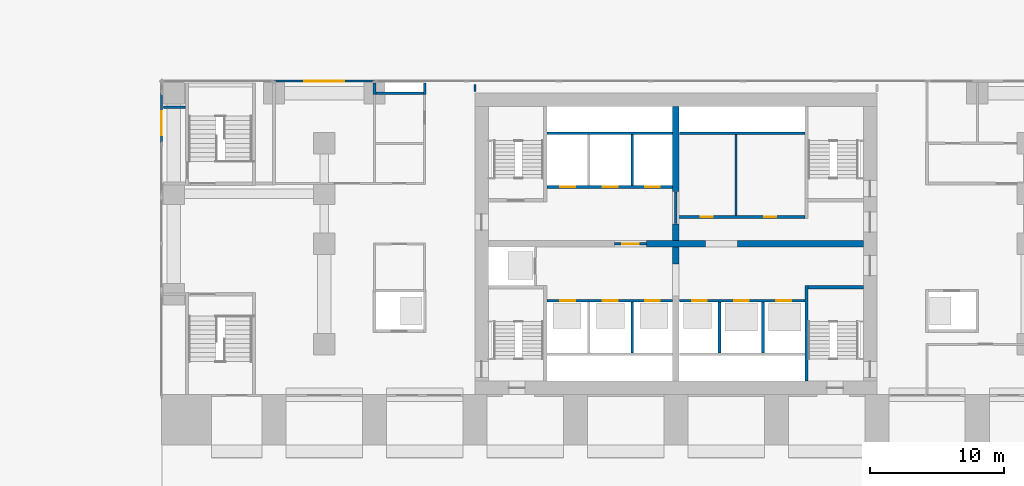
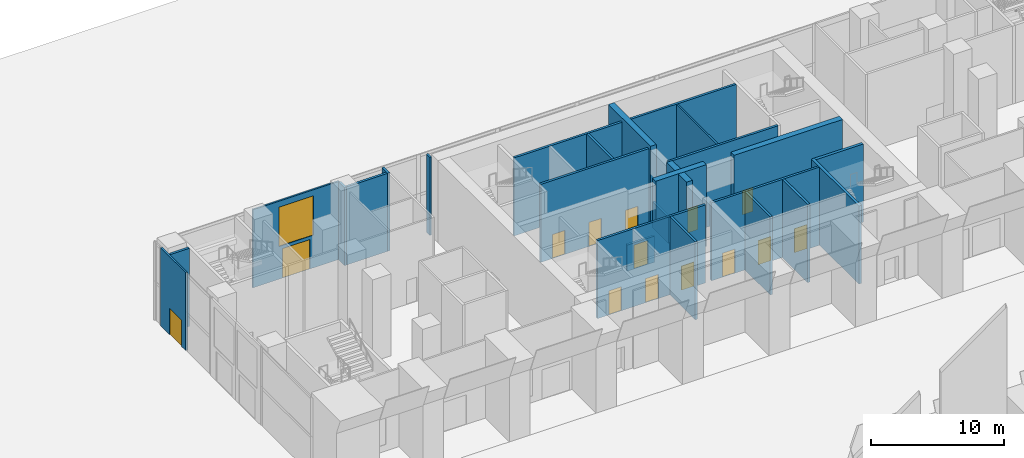
# One storey, part 13 of 21: 27 walls, 14 doors, 1 window, 15 openings.
"""IFC4 building model written with IfcOpenShell, lengths in metres."""

from ifc_helpers import new_model, si_unit, direction, frame, frame_2d, origin, place, context, subcontext, project, spatial, rectangle, extrude, material, layer, layer_set, type_object, element, fill, save


model = new_model("IFC4")

# Units and contexts
model_context = context("Model", 3, precision=1e-05, world=origin(), true_north=direction((0.0, 1.0)))
body_context = subcontext(model_context, "Body", "Model", "MODEL_VIEW")
ifc_project = project(units=[si_unit("LENGTHUNIT", "METRE"), si_unit("AREAUNIT", "SQUARE_METRE"), si_unit("VOLUMEUNIT", "CUBIC_METRE"), si_unit("PLANEANGLEUNIT", "RADIAN"), si_unit("MASSUNIT", "GRAM", prefix="KILO")], contexts=[model_context])

# Site, building, storey
site_placement = place(None, origin())
site = spatial("IfcSite", under=ifc_project, at=site_placement, CompositionType="ELEMENT")
building_placement = place(site_placement, origin())
building = spatial("IfcBuilding", under=site, at=building_placement, Name="Pilkhan Gate Tower", CompositionType="ELEMENT")
storey_placement = place(building_placement, origin())
storey = spatial("IfcBuildingStorey", under=building, at=storey_placement, Name="L00", CompositionType="ELEMENT", Elevation=0.0)

# Wall
ifc_material_1 = material(Name="Reinforced blockwork, 120 minute fire resisting", Category="masonry")
ifc_layer_1 = layer(ifc_material_1, 0.199951171875)
ifc_layer_set_1 = layer_set([ifc_layer_1], Name="Exit passage wall XW200")
wall_type_1 = type_object("IfcWallType", Name="Exit passage wall XW200", PredefinedType="PARTITIONING", material=ifc_layer_set_1)
wall_1_placement = place(storey_placement, frame((36.735107421875, 92.699951171875, 0.0), z_axis=(0.0, 0.0, 1.0), x_axis=(1.0, 0.0, 0.0)))
element("IfcWall", 1, at=wall_1_placement, inside=storey, type_object=wall_type_1, Name="Partition L00", PredefinedType="PARTITIONING", context=body_context, shape_type="SweptSolid", body=[
    extrude(rectangle(XDim=1.639892578125, YDim=0.199951171875, at=frame_2d((0.81982421875, 0.0))), origin(), (0.0, 0.0, 1.0), 7.14990234375),
])

# Wall, openings, door, window
ifc_material_2 = material(Name="Pale anodised aluminium, clear laminated glazing", Category="aluminium")
ifc_layer_2 = layer(ifc_material_2, 0.14990234375)
ifc_layer_set_2 = layer_set([ifc_layer_2], Name="Facade infill wall IW150")
wall_type_2 = type_object("IfcWallType", Name="Facade infill wall IW150", PredefinedType="SOLIDWALL", material=ifc_layer_set_2)
wall_2_placement = place(storey_placement, frame((45.0, 94.64501953125, 0.0), z_axis=(0.0, 0.0, 1.0), x_axis=(1.0, 0.0, 0.0)))
wall_2 = element("IfcWall", 2, at=wall_2_placement, inside=storey, type_object=wall_type_2, Name="Infill wall L00 N", PredefinedType="SOLIDWALL", context=body_context, shape_type="SweptSolid", body=[
    extrude(rectangle(XDim=7.5, YDim=0.14990234375, at=frame_2d((3.75, 0.0))), origin(), (0.0, 0.0, 1.0), 7.14990234375),
])
opening_1_placement = place(wall_2_placement, frame((2.550048828125, 0.0, 0.0)))
opening_1 = element("IfcOpeningElement", 3, at=opening_1_placement, cuts=wall_2, Name="Opening D6", PredefinedType="OPENING", context=body_context, shape_type="SweptSolid", body=[
    extrude(rectangle(XDim=2.39990234375, YDim=2.699951171875, at=frame_2d((1.199951171875, 1.35009765625))), frame((0.0, 0.0849609375, 0.0), z_axis=(0.0, -1.0, 0.0), x_axis=(1.0, 0.0, 0.0)), (0.0, 0.0, 1.0), 0.169921875),
])
opening_2_placement = place(wall_2_placement, frame((2.25, 0.0, 3.0)))
opening_2 = element("IfcOpeningElement", 4, at=opening_2_placement, cuts=wall_2, Name="Opening W3", PredefinedType="OPENING", context=body_context, shape_type="SweptSolid", body=[
    extrude(rectangle(XDim=3.0, YDim=3.60009765625, at=frame_2d((1.5, 1.800048828125))), frame((0.0, 0.0849609375, 0.0), z_axis=(0.0, -1.0, 0.0), x_axis=(1.0, 0.0, 0.0)), (0.0, 0.0, 1.0), 0.169921875),
])
ifc_material_3 = material(Name="Pale anodised aluminium, clear glazing", Category="aluminium")
door_type_1 = type_object("IfcDoorType", Name="Entrance door D6 2400x2700", OperationType="DOUBLE_DOOR_SINGLE_SWING", PredefinedType="DOOR", material=ifc_material_3)
door_1_placement = place(opening_1_placement, origin())
door_1 = element("IfcDoor", 5, at=door_1_placement, inside=storey, type_object=door_type_1, Name="Cafe terrace entrance", OperationType="DOUBLE_DOOR_SINGLE_SWING", OverallHeight=2.699951171875, OverallWidth=2.39990234375, PredefinedType="DOOR", context=body_context, shape_type="SweptSolid", body=[
    extrude(rectangle(XDim=2.39990234375, YDim=2.699951171875, at=frame_2d((1.199951171875, 1.35009765625))), frame((0.0, 0.02490234375, 0.0), z_axis=(0.0, -1.0, 0.0), x_axis=(1.0, 0.0, 0.0)), (0.0, 0.0, 1.0), 0.050048828125),
])
fill(opening_1, door_1)
window_type = type_object("IfcWindowType", Name="Window W3 3000x3600", PartitioningType="SINGLE_PANEL", PredefinedType="WINDOW", material=ifc_material_2)
window_placement = place(opening_2_placement, origin())
window = element("IfcWindow", 6, at=window_placement, inside=storey, type_object=window_type, Name="Fanlight", OverallHeight=3.60009765625, OverallWidth=3.0, PartitioningType="SINGLE_PANEL", PredefinedType="WINDOW", context=body_context, shape_type="SweptSolid", body=[
    extrude(rectangle(XDim=3.0, YDim=3.60009765625, at=frame_2d((1.5, 1.800048828125))), frame((0.0, 0.030029296875, 0.0), z_axis=(0.0, -1.0, 0.0), x_axis=(1.0, 0.0, 0.0)), (0.0, 0.0, 1.0), 0.06005859375),
])
fill(opening_2, window)

# Wall, opening, door
wall_3_placement = place(storey_placement, frame((36.60498046875, 90.0, 0.0), z_axis=(0.0, 0.0, 1.0), x_axis=(0.0, 1.0, 0.0)))
wall_3 = element("IfcWall", 7, at=wall_3_placement, inside=storey, type_object=wall_type_2, Name="Infill wall L00 W", PredefinedType="SOLIDWALL", context=body_context, shape_type="SweptSolid", body=[
    extrude(rectangle(XDim=3.75, YDim=0.14990234375, at=frame_2d((1.875, 0.0))), origin(), (0.0, 0.0, 1.0), 7.14990234375),
])
opening_3_placement = place(wall_3_placement, frame((0.60009765625, 0.0, 0.0)))
opening_3 = element("IfcOpeningElement", 8, at=opening_3_placement, cuts=wall_3, Name="Opening D3", PredefinedType="OPENING", context=body_context, shape_type="SweptSolid", body=[
    extrude(rectangle(XDim=1.800048828125, YDim=2.39990234375, at=frame_2d((0.89990234375, 1.199951171875))), frame((0.0, 0.0849609375, 0.0), z_axis=(0.0, -1.0, 0.0), x_axis=(1.0, 0.0, 0.0)), (0.0, 0.0, 1.0), 0.169921875),
])
ifc_material_4 = material(Name="Steel door, powder coated pale grey", Category="steel")
door_type_2 = type_object("IfcDoorType", Name="Exit door D3 1800x2400", OperationType="DOUBLE_DOOR_SINGLE_SWING", PredefinedType="DOOR", material=ifc_material_4)
door_2_placement = place(opening_3_placement, origin())
door_2 = element("IfcDoor", 9, at=door_2_placement, inside=storey, type_object=door_type_2, Name="Stair PS1 exit door", OperationType="DOUBLE_DOOR_SINGLE_SWING", OverallHeight=2.39990234375, OverallWidth=1.800048828125, PredefinedType="DOOR", context=body_context, shape_type="SweptSolid", body=[
    extrude(rectangle(XDim=1.800048828125, YDim=2.39990234375, at=frame_2d((0.89990234375, 1.199951171875))), frame((0.0, 0.02490234375, 0.0), z_axis=(0.0, -1.0, 0.0), x_axis=(1.0, 0.0, 0.0)), (0.0, 0.0, 1.0), 0.050048828125),
])
fill(opening_3, door_2)

ifc_material_5 = material(Name="Dense blockwork", Category="masonry")
ifc_layer_3 = layer(ifc_material_5, 0.199951171875)
ifc_layer_set_3 = layer_set([ifc_layer_3], Name="Lobby wall LW200")
wall_type_3 = type_object("IfcWallType", Name="Lobby wall LW200", PredefinedType="PARTITIONING", material=ifc_layer_set_3)
wall_4_placement = place(storey_placement, frame((70.409912109375, 82.5, 0.0), z_axis=(0.0, 0.0, 1.0), x_axis=(1.0, 0.0, 0.0)))
wall_4 = element("IfcWall", 10, at=wall_4_placement, inside=storey, type_object=wall_type_3, Name="Partition L00", PredefinedType="PARTITIONING", context=body_context, shape_type="SweptSolid", body=[
    extrude(rectangle(XDim=2.380126953125, YDim=0.199951171875, at=frame_2d((1.18994140625, 0.0))), origin(), (0.0, 0.0, 1.0), 2.39990234375),
])
opening_4_placement = place(wall_4_placement, frame((0.60009765625, 0.0, 0.0)))
opening_4 = element("IfcOpeningElement", 11, at=opening_4_placement, cuts=wall_4, Name="Opening L00-01", PredefinedType="OPENING", context=body_context, shape_type="SweptSolid", body=[
    extrude(rectangle(XDim=1.199951171875, YDim=2.199951171875, at=frame_2d((0.60009765625, 1.10009765625))), frame((0.0, 0.10986328125, 0.0), z_axis=(0.0, -1.0, 0.0), x_axis=(1.0, 0.0, 0.0)), (0.0, 0.0, 1.0), 0.219970703125),
])
ifc_material_6 = material(Name="Steel door, 120 minute fire resisting, self-closing", Category="steel")
door_type_3 = type_object("IfcDoorType", Name="Firefighting lobby door D10 1200x2200", OperationType="SINGLE_SWING_LEFT", PredefinedType="DOOR", material=ifc_material_6)
door_3_placement = place(opening_4_placement, origin())
door_3 = element("IfcDoor", 12, at=door_3_placement, inside=storey, type_object=door_type_3, Name="Firefighting lobby door", OperationType="SINGLE_SWING_LEFT", OverallHeight=2.199951171875, OverallWidth=1.199951171875, PredefinedType="DOOR", context=body_context, shape_type="SweptSolid", body=[
    extrude(rectangle(XDim=1.199951171875, YDim=2.199951171875, at=frame_2d((0.60009765625, 1.10009765625))), frame((0.0, 0.02490234375, 0.0), z_axis=(0.0, -1.0, 0.0), x_axis=(1.0, 0.0, 0.0)), (0.0, 0.0, 1.0), 0.050048828125),
])
fill(opening_4, door_3)

# Wall, openings, doors
wall_5_placement = place(storey_placement, frame((75.10009765625, 84.5, 0.0), z_axis=(0.0, 0.0, 1.0), x_axis=(1.0, 0.0, 0.0)))
wall_5 = element("IfcWall", 13, at=wall_5_placement, inside=storey, type_object=wall_type_3, Name="Partition L00", PredefinedType="PARTITIONING", context=body_context, shape_type="SweptSolid", body=[
    extrude(rectangle(XDim=9.5498046875, YDim=0.199951171875, at=frame_2d((4.77490234375, 0.0))), origin(), (0.0, 0.0, 1.0), 7.14990234375),
])
opening_5_placement = place(wall_5_placement, frame((1.75, 0.0, 0.0)))
opening_5 = element("IfcOpeningElement", 14, at=opening_5_placement, cuts=wall_5, Name="Opening L00-18", PredefinedType="OPENING", context=body_context, shape_type="SweptSolid", body=[
    extrude(rectangle(XDim=0.89990234375, YDim=2.199951171875, at=frame_2d((0.449951171875, 1.10009765625))), frame((0.0, 0.10986328125, 0.0), z_axis=(0.0, -1.0, 0.0), x_axis=(1.0, 0.0, 0.0)), (0.0, 0.0, 1.0), 0.219970703125),
])
opening_6_placement = place(wall_5_placement, frame((6.5, 0.0, 0.0)))
opening_6 = element("IfcOpeningElement", 15, at=opening_6_placement, cuts=wall_5, Name="Opening L00-19", PredefinedType="OPENING", context=body_context, shape_type="SweptSolid", body=[
    extrude(rectangle(XDim=0.89990234375, YDim=2.199951171875, at=frame_2d((0.449951171875, 1.10009765625))), frame((0.0, 0.10986328125, 0.0), z_axis=(0.0, -1.0, 0.0), x_axis=(1.0, 0.0, 0.0)), (0.0, 0.0, 1.0), 0.219970703125),
])
ifc_material_7 = material(Name="Timber flush door, 60 minute fire resisting, self-closing", Category="wood")
door_type_4 = type_object("IfcDoorType", Name="Store door D05 900x2200", OperationType="SINGLE_SWING_LEFT", PredefinedType="DOOR", material=ifc_material_7)
door_4_placement = place(opening_5_placement, origin())
door_4 = element("IfcDoor", 16, at=door_4_placement, inside=storey, type_object=door_type_4, Name="Store door", OperationType="SINGLE_SWING_LEFT", OverallHeight=2.199951171875, OverallWidth=0.89990234375, PredefinedType="DOOR", context=body_context, shape_type="SweptSolid", body=[
    extrude(rectangle(XDim=0.89990234375, YDim=2.199951171875, at=frame_2d((0.449951171875, 1.10009765625))), frame((0.0, 0.02490234375, 0.0), z_axis=(0.0, -1.0, 0.0), x_axis=(1.0, 0.0, 0.0)), (0.0, 0.0, 1.0), 0.050048828125),
])
fill(opening_5, door_4)
door_5_placement = place(opening_6_placement, origin())
door_5 = element("IfcDoor", 17, at=door_5_placement, inside=storey, type_object=door_type_4, Name="Store door", OperationType="SINGLE_SWING_RIGHT", OverallHeight=2.199951171875, OverallWidth=0.89990234375, PredefinedType="DOOR", context=body_context, shape_type="SweptSolid", body=[
    extrude(rectangle(XDim=0.89990234375, YDim=2.199951171875, at=frame_2d((0.449951171875, 1.10009765625))), frame((0.0, 0.02490234375, 0.0), z_axis=(0.0, -1.0, 0.0), x_axis=(1.0, 0.0, 0.0)), (0.0, 0.0, 1.0), 0.050048828125),
])
fill(opening_6, door_5)

# Walls
wall_6_placement = place(storey_placement, frame((75.260009765625, 90.75, 0.0), z_axis=(0.0, 0.0, 1.0), x_axis=(1.0, 0.0, 0.0)))
element("IfcWall", 18, at=wall_6_placement, inside=storey, type_object=wall_type_3, Name="Partition L00", PredefinedType="PARTITIONING", context=body_context, shape_type="SweptSolid", body=[
    extrude(rectangle(XDim=9.364990234375, YDim=0.199951171875, at=frame_2d((4.6826171875, 0.0))), origin(), (0.0, 0.0, 1.0), 7.14990234375),
])
wall_7_placement = place(storey_placement, frame((52.60009765625, 93.75, 0.0), z_axis=(0.0, 0.0, 1.0), x_axis=(1.0, 0.0, 0.0)))
element("IfcWall", 19, at=wall_7_placement, inside=storey, type_object=wall_type_3, Name="Partition L00", PredefinedType="PARTITIONING", context=body_context, shape_type="SweptSolid", body=[
    extrude(rectangle(XDim=3.5498046875, YDim=0.199951171875, at=frame_2d((1.77490234375, 0.0))), origin(), (0.0, 0.0, 1.0), 7.14990234375),
])
for number, where, z_axis, x_axis, name in (
    (20, (52.5, 93.64990234375, 0.0), (0.0, 0.0, 1.0), (0.0, 1.0, 0.0), "Partition L00"),
    (21, (56.25, 93.64990234375, 0.0), (0.0, 0.0, 1.0), (0.0, 1.0, 0.0), "Partition L00"),
):
    element("IfcWall", number, at=place(storey_placement, frame(where, z_axis=z_axis, x_axis=x_axis)), inside=storey, type_object=wall_type_3, Name=name, PredefinedType="PARTITIONING", context=body_context, shape_type="SweptSolid", body=[
        extrude(rectangle(XDim=0.864990234375, YDim=0.199951171875, at=frame_2d((0.4326171875, 0.0))), origin(), (0.0, 0.0, 1.0), 7.14990234375),
    ])
wall_8_placement = place(storey_placement, frame((75.0, 84.010009765625, 0.0), z_axis=(0.0, 0.0, 1.0), x_axis=(0.0, 1.0, 0.0)))
element("IfcWall", 22, at=wall_8_placement, inside=storey, type_object=wall_type_3, Name="Partition L00", PredefinedType="PARTITIONING", context=body_context, shape_type="SweptSolid", body=[
    extrude(rectangle(XDim=2.3798828125, YDim=0.199951171875, at=frame_2d((1.18994140625, 0.0))), origin(), (0.0, 0.0, 1.0), 2.39990234375),
])
ifc_material_8 = material(Name="Blockwork partition, plastered both sides", Category="masonry")
ifc_layer_4 = layer(ifc_material_8, 0.14990234375)
ifc_layer_set_4 = layer_set([ifc_layer_4], Name="Partition PW150")
wall_type_4 = type_object("IfcWallType", Name="Partition PW150", PredefinedType="PARTITIONING", material=ifc_layer_set_4)
wall_9_placement = place(storey_placement, frame((60.0, 93.8701171875, 0.0), z_axis=(0.0, 0.0, 1.0), x_axis=(0.0, 1.0, 0.0)))
element("IfcWall", 23, at=wall_9_placement, inside=storey, type_object=wall_type_4, Name="Partition L00", PredefinedType="PARTITIONING", context=body_context, shape_type="SweptSolid", body=[
    extrude(rectangle(XDim=0.52490234375, YDim=0.14990234375, at=frame_2d((0.262451171875, 0.0))), origin(), (0.0, 0.0, 1.0), 7.14990234375),
])
wall_10_placement = place(storey_placement, frame((79.5, 84.60009765625, 0.0), z_axis=(0.0, 0.0, 1.0), x_axis=(0.0, 1.0, 0.0)))
element("IfcWall", 24, at=wall_10_placement, inside=storey, type_object=wall_type_4, Name="Partition L00", PredefinedType="PARTITIONING", context=body_context, shape_type="SweptSolid", body=[
    extrude(rectangle(XDim=6.0498046875, YDim=0.14990234375, at=frame_2d((3.02490234375, 0.0))), origin(), (0.0, 0.0, 1.0), 7.14990234375),
])

# Wall, openings, doors
ifc_material_9 = material(Name="Reinforced blockwork shaft wall, 120 minute fire resisting", Category="masonry")
ifc_layer_5 = layer(ifc_material_9, 0.199951171875)
ifc_layer_set_5 = layer_set([ifc_layer_5], Name="Shaft wall SW200")
wall_type_5 = type_object("IfcWallType", Name="Shaft wall SW200", PredefinedType="PARTITIONING", material=ifc_layer_set_5)
wall_11_placement = place(storey_placement, frame((65.375, 78.25, 0.0), z_axis=(0.0, 0.0, 1.0), x_axis=(1.0, 0.0, 0.0)))
wall_11 = element("IfcWall", 25, at=wall_11_placement, inside=storey, type_object=wall_type_5, Name="Partition L00", PredefinedType="PARTITIONING", context=body_context, shape_type="SweptSolid", body=[
    extrude(rectangle(XDim=9.364990234375, YDim=0.199951171875, at=frame_2d((4.6826171875, 0.0))), origin(), (0.0, 0.0, 1.0), 7.14990234375),
])
opening_7_placement = place(wall_11_placement, frame((1.0, 0.0, 0.0)))
opening_7 = element("IfcOpeningElement", 26, at=opening_7_placement, cuts=wall_11, Name="Opening LD", PredefinedType="OPENING", context=body_context, shape_type="SweptSolid", body=[
    extrude(rectangle(XDim=1.10009765625, YDim=2.199951171875, at=frame_2d((0.550048828125, 1.10009765625))), frame((0.0, 0.10986328125, 0.0), z_axis=(0.0, -1.0, 0.0), x_axis=(1.0, 0.0, 0.0)), (0.0, 0.0, 1.0), 0.219970703125),
])
opening_8_placement = place(wall_11_placement, frame((4.175048828125, 0.0, 0.0)))
opening_8 = element("IfcOpeningElement", 27, at=opening_8_placement, cuts=wall_11, Name="Opening LD", PredefinedType="OPENING", context=body_context, shape_type="SweptSolid", body=[
    extrude(rectangle(XDim=1.10009765625, YDim=2.199951171875, at=frame_2d((0.550048828125, 1.10009765625))), frame((0.0, 0.10986328125, 0.0), z_axis=(0.0, -1.0, 0.0), x_axis=(1.0, 0.0, 0.0)), (0.0, 0.0, 1.0), 0.219970703125),
])
opening_9_placement = place(wall_11_placement, frame((7.324951171875, 0.0, 0.0)))
opening_9 = element("IfcOpeningElement", 28, at=opening_9_placement, cuts=wall_11, Name="Opening LD", PredefinedType="OPENING", context=body_context, shape_type="SweptSolid", body=[
    extrude(rectangle(XDim=1.10009765625, YDim=2.199951171875, at=frame_2d((0.550048828125, 1.10009765625))), frame((0.0, 0.10986328125, 0.0), z_axis=(0.0, -1.0, 0.0), x_axis=(1.0, 0.0, 0.0)), (0.0, 0.0, 1.0), 0.219970703125),
])
ifc_material_10 = material(Name="Stainless steel centre-opening landing door, 120 minute fire resisting", Category="steel")
door_type_5 = type_object("IfcDoorType", Name="Lift landing door LD 1100x2200", OperationType="DOUBLE_DOOR_SLIDING", PredefinedType="DOOR", material=ifc_material_10)
door_6_placement = place(opening_7_placement, origin())
door_6 = element("IfcDoor", 29, at=door_6_placement, inside=storey, type_object=door_type_5, Name="Landing door LR1", OperationType="DOUBLE_DOOR_SLIDING", OverallHeight=2.199951171875, OverallWidth=1.10009765625, PredefinedType="DOOR", context=body_context, shape_type="SweptSolid", body=[
    extrude(rectangle(XDim=1.10009765625, YDim=2.199951171875, at=frame_2d((0.550048828125, 1.10009765625))), frame((0.0, 0.02490234375, 0.0), z_axis=(0.0, -1.0, 0.0), x_axis=(1.0, 0.0, 0.0)), (0.0, 0.0, 1.0), 0.050048828125),
])
fill(opening_7, door_6)
door_7_placement = place(opening_8_placement, origin())
door_7 = element("IfcDoor", 30, at=door_7_placement, inside=storey, type_object=door_type_5, Name="Landing door LR2", OperationType="DOUBLE_DOOR_SLIDING", OverallHeight=2.199951171875, OverallWidth=1.10009765625, PredefinedType="DOOR", context=body_context, shape_type="SweptSolid", body=[
    extrude(rectangle(XDim=1.10009765625, YDim=2.199951171875, at=frame_2d((0.550048828125, 1.10009765625))), frame((0.0, 0.02490234375, 0.0), z_axis=(0.0, -1.0, 0.0), x_axis=(1.0, 0.0, 0.0)), (0.0, 0.0, 1.0), 0.050048828125),
])
fill(opening_8, door_7)
door_8_placement = place(opening_9_placement, origin())
door_8 = element("IfcDoor", 31, at=door_8_placement, inside=storey, type_object=door_type_5, Name="Landing door LR3", OperationType="DOUBLE_DOOR_SLIDING", OverallHeight=2.199951171875, OverallWidth=1.10009765625, PredefinedType="DOOR", context=body_context, shape_type="SweptSolid", body=[
    extrude(rectangle(XDim=1.10009765625, YDim=2.199951171875, at=frame_2d((0.550048828125, 1.10009765625))), frame((0.0, 0.02490234375, 0.0), z_axis=(0.0, -1.0, 0.0), x_axis=(1.0, 0.0, 0.0)), (0.0, 0.0, 1.0), 0.050048828125),
])
fill(opening_9, door_8)

wall_12_placement = place(storey_placement, frame((75.260009765625, 78.25, 0.0), z_axis=(0.0, 0.0, 1.0), x_axis=(1.0, 0.0, 0.0)))
wall_12 = element("IfcWall", 32, at=wall_12_placement, inside=storey, type_object=wall_type_5, Name="Partition L00", PredefinedType="PARTITIONING", context=body_context, shape_type="SweptSolid", body=[
    extrude(rectangle(XDim=9.364990234375, YDim=0.199951171875, at=frame_2d((4.6826171875, 0.0))), origin(), (0.0, 0.0, 1.0), 7.14990234375),
])
opening_10_placement = place(wall_12_placement, frame((0.949951171875, 0.0, 0.0)))
opening_10 = element("IfcOpeningElement", 33, at=opening_10_placement, cuts=wall_12, Name="Opening LD", PredefinedType="OPENING", context=body_context, shape_type="SweptSolid", body=[
    extrude(rectangle(XDim=1.10009765625, YDim=2.199951171875, at=frame_2d((0.550048828125, 1.10009765625))), frame((0.0, 0.10986328125, 0.0), z_axis=(0.0, -1.0, 0.0), x_axis=(1.0, 0.0, 0.0)), (0.0, 0.0, 1.0), 0.219970703125),
])
opening_11_placement = place(wall_12_placement, frame((4.090087890625, 0.0, 0.0)))
opening_11 = element("IfcOpeningElement", 34, at=opening_11_placement, cuts=wall_12, Name="Opening LD", PredefinedType="OPENING", context=body_context, shape_type="SweptSolid", body=[
    extrude(rectangle(XDim=1.10009765625, YDim=2.199951171875, at=frame_2d((0.550048828125, 1.10009765625))), frame((0.0, 0.10986328125, 0.0), z_axis=(0.0, -1.0, 0.0), x_axis=(1.0, 0.0, 0.0)), (0.0, 0.0, 1.0), 0.219970703125),
])
opening_12_placement = place(wall_12_placement, frame((7.239990234375, 0.0, 0.0)))
opening_12 = element("IfcOpeningElement", 35, at=opening_12_placement, cuts=wall_12, Name="Opening LD", PredefinedType="OPENING", context=body_context, shape_type="SweptSolid", body=[
    extrude(rectangle(XDim=1.10009765625, YDim=2.199951171875, at=frame_2d((0.550048828125, 1.10009765625))), frame((0.0, 0.10986328125, 0.0), z_axis=(0.0, -1.0, 0.0), x_axis=(1.0, 0.0, 0.0)), (0.0, 0.0, 1.0), 0.219970703125),
])
door_9_placement = place(opening_10_placement, origin())
door_9 = element("IfcDoor", 36, at=door_9_placement, inside=storey, type_object=door_type_5, Name="Landing door LR4", OperationType="DOUBLE_DOOR_SLIDING", OverallHeight=2.199951171875, OverallWidth=1.10009765625, PredefinedType="DOOR", context=body_context, shape_type="SweptSolid", body=[
    extrude(rectangle(XDim=1.10009765625, YDim=2.199951171875, at=frame_2d((0.550048828125, 1.10009765625))), frame((0.0, 0.02490234375, 0.0), z_axis=(0.0, -1.0, 0.0), x_axis=(1.0, 0.0, 0.0)), (0.0, 0.0, 1.0), 0.050048828125),
])
fill(opening_10, door_9)
door_10_placement = place(opening_11_placement, origin())
door_10 = element("IfcDoor", 37, at=door_10_placement, inside=storey, type_object=door_type_5, Name="Landing door SH1", OperationType="DOUBLE_DOOR_SLIDING", OverallHeight=2.199951171875, OverallWidth=1.10009765625, PredefinedType="DOOR", context=body_context, shape_type="SweptSolid", body=[
    extrude(rectangle(XDim=1.10009765625, YDim=2.199951171875, at=frame_2d((0.550048828125, 1.10009765625))), frame((0.0, 0.02490234375, 0.0), z_axis=(0.0, -1.0, 0.0), x_axis=(1.0, 0.0, 0.0)), (0.0, 0.0, 1.0), 0.050048828125),
])
fill(opening_11, door_10)
door_11_placement = place(opening_12_placement, origin())
door_11 = element("IfcDoor", 38, at=door_11_placement, inside=storey, type_object=door_type_5, Name="Landing door SH2", OperationType="DOUBLE_DOOR_SLIDING", OverallHeight=2.199951171875, OverallWidth=1.10009765625, PredefinedType="DOOR", context=body_context, shape_type="SweptSolid", body=[
    extrude(rectangle(XDim=1.10009765625, YDim=2.199951171875, at=frame_2d((0.550048828125, 1.10009765625))), frame((0.0, 0.02490234375, 0.0), z_axis=(0.0, -1.0, 0.0), x_axis=(1.0, 0.0, 0.0)), (0.0, 0.0, 1.0), 0.050048828125),
])
fill(opening_12, door_11)

wall_13_placement = place(storey_placement, frame((65.375, 86.75, 0.0), z_axis=(0.0, 0.0, 1.0), x_axis=(1.0, 0.0, 0.0)))
wall_13 = element("IfcWall", 39, at=wall_13_placement, inside=storey, type_object=wall_type_5, Name="Partition L00", PredefinedType="PARTITIONING", context=body_context, shape_type="SweptSolid", body=[
    extrude(rectangle(XDim=9.364990234375, YDim=0.199951171875, at=frame_2d((4.6826171875, 0.0))), origin(), (0.0, 0.0, 1.0), 7.14990234375),
])
opening_13_placement = place(wall_13_placement, frame((1.0, 0.0, 0.0)))
opening_13 = element("IfcOpeningElement", 40, at=opening_13_placement, cuts=wall_13, Name="Opening LD", PredefinedType="OPENING", context=body_context, shape_type="SweptSolid", body=[
    extrude(rectangle(XDim=1.10009765625, YDim=2.199951171875, at=frame_2d((0.550048828125, 1.10009765625))), frame((0.0, 0.10986328125, 0.0), z_axis=(0.0, -1.0, 0.0), x_axis=(1.0, 0.0, 0.0)), (0.0, 0.0, 1.0), 0.219970703125),
])
opening_14_placement = place(wall_13_placement, frame((4.175048828125, 0.0, 0.0)))
opening_14 = element("IfcOpeningElement", 41, at=opening_14_placement, cuts=wall_13, Name="Opening LD", PredefinedType="OPENING", context=body_context, shape_type="SweptSolid", body=[
    extrude(rectangle(XDim=1.10009765625, YDim=2.199951171875, at=frame_2d((0.550048828125, 1.10009765625))), frame((0.0, 0.10986328125, 0.0), z_axis=(0.0, -1.0, 0.0), x_axis=(1.0, 0.0, 0.0)), (0.0, 0.0, 1.0), 0.219970703125),
])
opening_15_placement = place(wall_13_placement, frame((7.324951171875, 0.0, 0.0)))
opening_15 = element("IfcOpeningElement", 42, at=opening_15_placement, cuts=wall_13, Name="Opening LD", PredefinedType="OPENING", context=body_context, shape_type="SweptSolid", body=[
    extrude(rectangle(XDim=1.10009765625, YDim=2.199951171875, at=frame_2d((0.550048828125, 1.10009765625))), frame((0.0, 0.10986328125, 0.0), z_axis=(0.0, -1.0, 0.0), x_axis=(1.0, 0.0, 0.0)), (0.0, 0.0, 1.0), 0.219970703125),
])
door_12_placement = place(opening_13_placement, origin())
door_12 = element("IfcDoor", 43, at=door_12_placement, inside=storey, type_object=door_type_5, Name="Landing door FF1", OperationType="DOUBLE_DOOR_SLIDING", OverallHeight=2.199951171875, OverallWidth=1.10009765625, PredefinedType="DOOR", context=body_context, shape_type="SweptSolid", body=[
    extrude(rectangle(XDim=1.10009765625, YDim=2.199951171875, at=frame_2d((0.550048828125, 1.10009765625))), frame((0.0, 0.02490234375, 0.0), z_axis=(0.0, -1.0, 0.0), x_axis=(1.0, 0.0, 0.0)), (0.0, 0.0, 1.0), 0.050048828125),
])
fill(opening_13, door_12)
door_13_placement = place(opening_14_placement, origin())
door_13 = element("IfcDoor", 44, at=door_13_placement, inside=storey, type_object=door_type_5, Name="Landing door FF2", OperationType="DOUBLE_DOOR_SLIDING", OverallHeight=2.199951171875, OverallWidth=1.10009765625, PredefinedType="DOOR", context=body_context, shape_type="SweptSolid", body=[
    extrude(rectangle(XDim=1.10009765625, YDim=2.199951171875, at=frame_2d((0.550048828125, 1.10009765625))), frame((0.0, 0.02490234375, 0.0), z_axis=(0.0, -1.0, 0.0), x_axis=(1.0, 0.0, 0.0)), (0.0, 0.0, 1.0), 0.050048828125),
])
fill(opening_14, door_13)
door_14_placement = place(opening_15_placement, origin())
door_14 = element("IfcDoor", 45, at=door_14_placement, inside=storey, type_object=door_type_5, Name="Landing door SV1", OperationType="DOUBLE_DOOR_SLIDING", OverallHeight=2.199951171875, OverallWidth=1.10009765625, PredefinedType="DOOR", context=body_context, shape_type="SweptSolid", body=[
    extrude(rectangle(XDim=1.10009765625, YDim=2.199951171875, at=frame_2d((0.550048828125, 1.10009765625))), frame((0.0, 0.02490234375, 0.0), z_axis=(0.0, -1.0, 0.0), x_axis=(1.0, 0.0, 0.0)), (0.0, 0.0, 1.0), 0.050048828125),
])
fill(opening_15, door_14)

# Walls
wall_14_placement = place(storey_placement, frame((65.375, 90.75, 0.0), z_axis=(0.0, 0.0, 1.0), x_axis=(1.0, 0.0, 0.0)))
element("IfcWall", 46, at=wall_14_placement, inside=storey, type_object=wall_type_5, Name="Partition L00", PredefinedType="PARTITIONING", context=body_context, shape_type="SweptSolid", body=[
    extrude(rectangle(XDim=9.364990234375, YDim=0.199951171875, at=frame_2d((4.6826171875, 0.0))), origin(), (0.0, 0.0, 1.0), 7.14990234375),
])
for number, where, z_axis, x_axis, name in (
    (47, (71.75, 74.35009765625, 0.0), (0.0, 0.0, 1.0), (0.0, 1.0, 0.0), "Partition L00"),
    (48, (71.75, 86.85009765625, 0.0), (0.0, 0.0, 1.0), (0.0, 1.0, 0.0), "Partition L00"),
    (49, (78.25, 74.35009765625, 0.0), (0.0, 0.0, 1.0), (0.0, 1.0, 0.0), "Partition L00"),
    (50, (81.5, 74.35009765625, 0.0), (0.0, 0.0, 1.0), (0.0, 1.0, 0.0), "Partition L00"),
):
    element("IfcWall", number, at=place(storey_placement, frame(where, z_axis=z_axis, x_axis=x_axis)), inside=storey, type_object=wall_type_5, Name=name, PredefinedType="PARTITIONING", context=body_context, shape_type="SweptSolid", body=[
        extrude(rectangle(XDim=3.7998046875, YDim=0.199951171875, at=frame_2d((1.89990234375, 0.0))), origin(), (0.0, 0.0, 1.0), 7.14990234375),
    ])
ifc_material_11 = material(Name="Concrete C70/85", Category="concrete")
ifc_layer_6 = layer(ifc_material_11, 0.5)
ifc_layer_set_6 = layer_set([ifc_layer_6], Name="Spine wall SW500 C70/85")
wall_type_6 = type_object("IfcWallType", Name="Spine wall SW500 C70/85", PredefinedType="SHEAR", material=ifc_layer_set_6)
wall_15_placement = place(storey_placement, frame((72.800048828125, 82.5, 0.0), z_axis=(0.0, 0.0, 1.0), x_axis=(1.0, 0.0, 0.0)))
element("IfcWall", 51, at=wall_15_placement, inside=storey, type_object=wall_type_6, Name="Spine wall SP-EW2 L00", PredefinedType="SHEAR", context=body_context, shape_type="SweptSolid", body=[
    extrude(rectangle(XDim=4.39990234375, YDim=0.5, at=frame_2d((2.199951171875, 0.0))), origin(), (0.0, 0.0, 1.0), 7.5),
])
wall_16_placement = place(storey_placement, frame((79.60009765625, 82.5, 0.0), z_axis=(0.0, 0.0, 1.0), x_axis=(1.0, 0.0, 0.0)))
element("IfcWall", 52, at=wall_16_placement, inside=storey, type_object=wall_type_6, Name="Spine wall SP-EW3 L00", PredefinedType="SHEAR", context=body_context, shape_type="SweptSolid", body=[
    extrude(rectangle(XDim=9.39990234375, YDim=0.5, at=frame_2d((4.699951171875, 0.0))), origin(), (0.0, 0.0, 1.0), 7.5),
])
for number, where, z_axis, x_axis, name in (
    (53, (75.0, 81.0, 0.0), (0.0, 0.0, 1.0), (0.0, 1.0, 0.0), "Spine wall SP-NS-S2 L00"),
    (54, (75.0, 82.75, 0.0), (0.0, 0.0, 1.0), (0.0, 1.0, 0.0), "Spine wall SP-NS-N1 L00"),
):
    element("IfcWall", number, at=place(storey_placement, frame(where, z_axis=z_axis, x_axis=x_axis)), inside=storey, type_object=wall_type_6, Name=name, PredefinedType="SHEAR", context=body_context, shape_type="SweptSolid", body=[
        extrude(rectangle(XDim=1.25, YDim=0.5, at=frame_2d((0.625, 0.0))), origin(), (0.0, 0.0, 1.0), 7.5),
    ])
wall_17_placement = place(storey_placement, frame((75.0, 86.39990234375, 0.0), z_axis=(0.0, 0.0, 1.0), x_axis=(0.0, 1.0, 0.0)))
element("IfcWall", 55, at=wall_17_placement, inside=storey, type_object=wall_type_6, Name="Spine wall SP-NS-N2 L00", PredefinedType="SHEAR", context=body_context, shape_type="SweptSolid", body=[
    extrude(rectangle(XDim=6.35009765625, YDim=0.5, at=frame_2d((3.175048828125, 0.0))), origin(), (0.0, 0.0, 1.0), 7.5),
])
ifc_layer_7 = layer(ifc_material_1, 0.25)
ifc_layer_set_7 = layer_set([ifc_layer_7], Name="Stair enclosure wall SE250")
wall_type_7 = type_object("IfcWallType", Name="Stair enclosure wall SE250", PredefinedType="PARTITIONING", material=ifc_layer_set_7)
wall_18_placement = place(storey_placement, frame((84.875, 79.25, 0.0), z_axis=(0.0, 0.0, 1.0), x_axis=(1.0, 0.0, 0.0)))
element("IfcWall", 56, at=wall_18_placement, inside=storey, type_object=wall_type_7, Name="Partition L00", PredefinedType="PARTITIONING", context=body_context, shape_type="SweptSolid", body=[
    extrude(rectangle(XDim=4.114990234375, YDim=0.25, at=frame_2d((2.0576171875, 0.0))), origin(), (0.0, 0.0, 1.0), 7.14990234375),
])
wall_19_placement = place(storey_placement, frame((84.75, 72.260009765625, 0.0), z_axis=(0.0, 0.0, 1.0), x_axis=(0.0, 1.0, 0.0)))
element("IfcWall", 57, at=wall_19_placement, inside=storey, type_object=wall_type_7, Name="Partition L00", PredefinedType="PARTITIONING", context=body_context, shape_type="SweptSolid", body=[
    extrude(rectangle(XDim=7.114990234375, YDim=0.25, at=frame_2d((3.5576171875, 0.0))), origin(), (0.0, 0.0, 1.0), 7.14990234375),
])

save(model, "model.ifc")
